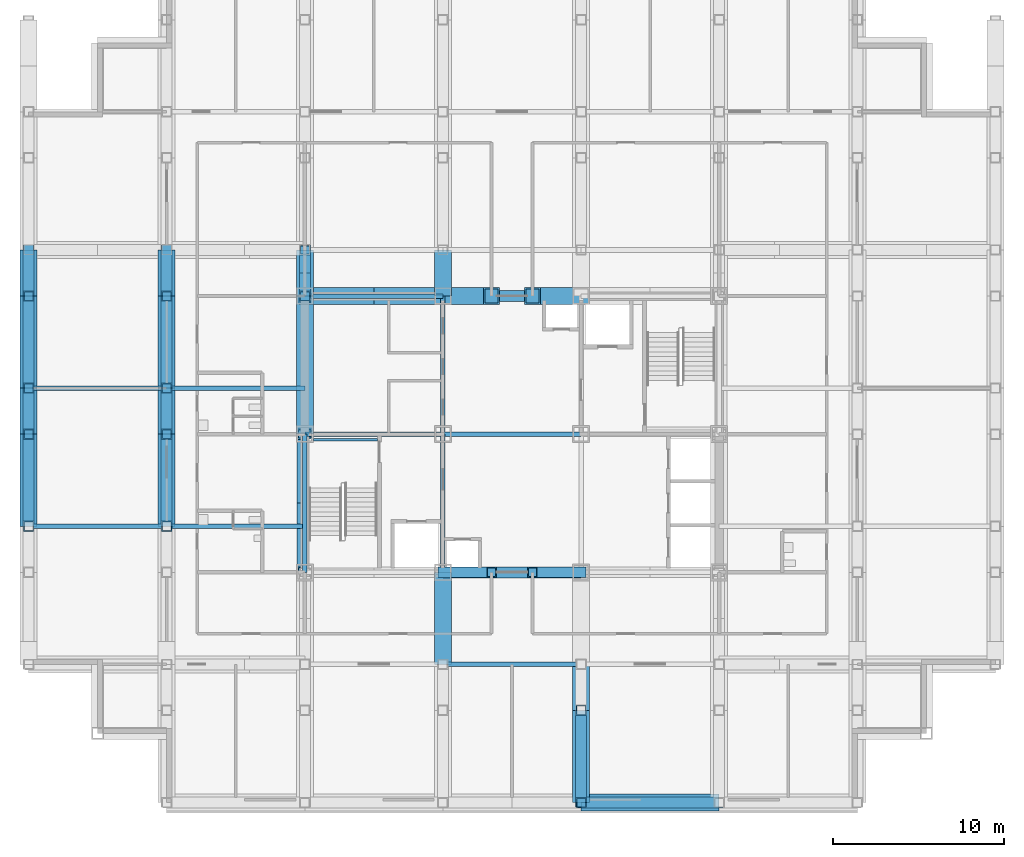
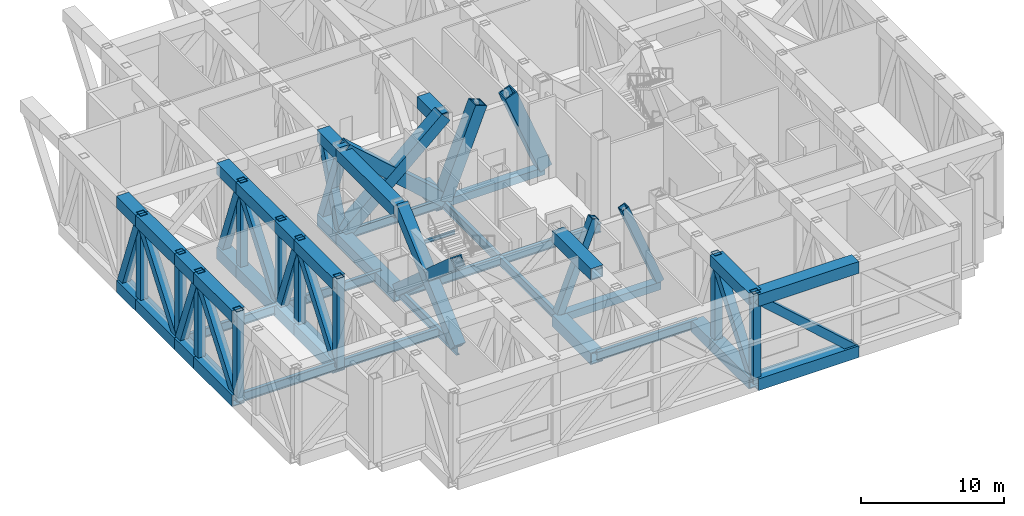
# One storey, part 2 of 13: 59 members, 14 beams.
"""IFC4 building model written with IfcOpenShell, lengths in metres."""

from ifc_helpers import new_model, si_unit, direction, frame, origin, origin_2d, place, context, subcontext, project, spatial, hollow_rectangle, i_section, extrude, material, material_profile, profile_set, type_object, element, save


model = new_model("IFC4")

# Units and contexts
model_context = context("Model", 3, precision=1e-05, world=origin(), true_north=direction((0.0, 1.0)))
body_context = subcontext(model_context, "Body", "Model", "MODEL_VIEW")
ifc_project = project(units=[si_unit("LENGTHUNIT", "METRE"), si_unit("AREAUNIT", "SQUARE_METRE"), si_unit("VOLUMEUNIT", "CUBIC_METRE"), si_unit("PLANEANGLEUNIT", "RADIAN"), si_unit("MASSUNIT", "GRAM", prefix="KILO")], contexts=[model_context])

# Site, building, storey
site_placement = place(None, origin())
site = spatial("IfcSite", under=ifc_project, at=site_placement, CompositionType="ELEMENT")
building_placement = place(site_placement, origin())
building = spatial("IfcBuilding", under=site, at=building_placement, Name="Kopane Lantern Tower", CompositionType="ELEMENT")
storey_placement = place(building_placement, frame((0.0, 0.0, 235.199951171875)))
storey = spatial("IfcBuildingStorey", under=building, at=storey_placement, Name="L61", CompositionType="ELEMENT", Elevation=235.199951171875)

# Members
ifc_material_1 = material(Name="Steel S355JR", Category="steel")
ifc_material_profile_1 = material_profile(ifc_material_1, hollow_rectangle(XDim=1.0, YDim=1.0, WallThickness=0.10009765625, at=origin_2d()), Name="BOX 1000x1000x100")
ifc_profile_set_1 = profile_set([ifc_material_profile_1], Name="Steel S355JR")
member_type_1 = type_object("IfcMemberType", Name="BRACE BOX 1000x1000x100", PredefinedType="BRACE", material=ifc_profile_set_1)
for number, where, z_axis, x_axis, name in (
    (1, (16.199951171875, 40.5, -0.25), (0.747415533118, 0.0, 0.664356847525), (0.0, 1.0, 0.0), "Core brace L61"),
    (2, (24.300048828125, 40.5, -0.25), (-0.747415533118, 0.0, 0.664356847525), (0.0, -1.0, 0.0), "Core brace L61"),
):
    element("IfcMember", number, at=place(storey_placement, frame(where, z_axis=z_axis, x_axis=x_axis)), inside=storey, type_object=member_type_1, Name=name, PredefinedType="BRACE", context=body_context, shape_type="SweptSolid", body=[
        extrude(hollow_rectangle(XDim=1.0, YDim=1.0, WallThickness=0.10009765625, at=origin_2d()), origin(), (0.0, 0.0, 1.0), 10.83740234375),
    ])
for number, where, z_axis, x_axis, name in (
    (3, (24.300048828125, 40.5, -0.25), (0.368034254187, 0.0, 0.929812232521), (0.0, 1.0, 0.0), "Core brace L61"),
    (4, (32.39990234375, 40.5, -0.25), (-0.368034254187, 0.0, 0.929812232521), (0.0, -1.0, 0.0), "Core brace L61"),
):
    element("IfcMember", number, at=place(storey_placement, frame(where, z_axis=z_axis, x_axis=x_axis)), inside=storey, type_object=member_type_1, Name=name, PredefinedType="BRACE", context=body_context, shape_type="SweptSolid", body=[
        extrude(hollow_rectangle(XDim=1.0, YDim=1.0, WallThickness=0.10009765625, at=origin_2d()), origin(), (0.0, 0.0, 1.0), 7.743408203125),
    ])
ifc_material_2 = material(Name="Steel S355JR", Category="steel")
ifc_material_profile_2 = material_profile(ifc_material_2, hollow_rectangle(XDim=0.60009765625, YDim=0.60009765625, WallThickness=0.06005859375, at=origin_2d()), Name="BOX 600x600x60")
ifc_profile_set_2 = profile_set([ifc_material_profile_2], Name="Steel S355JR")
member_type_2 = type_object("IfcMemberType", Name="BRACE BOX 600x600x60", PredefinedType="BRACE", material=ifc_profile_set_2)
for number, where, z_axis, x_axis, name in (
    (5, (24.300048828125, 24.300048828125, -0.25), (0.368034254187, 0.0, 0.929812232521), (0.0, 1.0, 0.0), "Core brace L61"),
    (6, (32.39990234375, 24.300048828125, -0.25), (-0.368034254187, 0.0, 0.929812232521), (0.0, -1.0, 0.0), "Core brace L61"),
):
    element("IfcMember", number, at=place(storey_placement, frame(where, z_axis=z_axis, x_axis=x_axis)), inside=storey, type_object=member_type_2, Name=name, PredefinedType="BRACE", context=body_context, shape_type="SweptSolid", body=[
        extrude(hollow_rectangle(XDim=0.60009765625, YDim=0.60009765625, WallThickness=0.06005859375, at=origin_2d()), origin(), (0.0, 0.0, 1.0), 7.743408203125),
    ])
ifc_material_3 = material(Name="Steel S355JR", Category="steel")
ifc_material_profile_3 = material_profile(ifc_material_3, hollow_rectangle(XDim=0.89990234375, YDim=0.89990234375, WallThickness=0.090087890625, at=origin_2d()), Name="BOX 900x900x90")
ifc_profile_set_3 = profile_set([ifc_material_profile_3], Name="Steel S355JR")
member_type_3 = type_object("IfcMemberType", Name="BRACE BOX 900x900x90", PredefinedType="BRACE", material=ifc_profile_set_3)
for number, where, z_axis, x_axis, name in (
    (7, (16.199951171875, 24.300048828125, -0.25), (0.0, 0.747405589929, 0.664368033655), (-1.0, 0.0, 0.0), "Core brace L61"),
    (8, (16.199951171875, 32.39990234375, -0.25), (0.0, -0.747405589929, 0.664368033655), (1.0, 0.0, 0.0), "Core brace L61"),
):
    element("IfcMember", number, at=place(storey_placement, frame(where, z_axis=z_axis, x_axis=x_axis)), inside=storey, type_object=member_type_3, Name=name, PredefinedType="BRACE", context=body_context, shape_type="SweptSolid", body=[
        extrude(hollow_rectangle(XDim=0.89990234375, YDim=0.89990234375, WallThickness=0.090087890625, at=origin_2d()), origin(), (0.0, 0.0, 1.0), 10.83740234375),
    ])

# Beams
ifc_material_4 = material(Name="Steel S355JR", Category="steel")
ifc_material_profile_4 = material_profile(ifc_material_4, i_section(OverallWidth=0.2666015625, OverallDepth=0.76220703125, WebThickness=0.014404296875, FlangeThickness=0.021484375, FilletRadius=0.0166015625, at=origin_2d()), Name="UB 762x267x173")
ifc_profile_set_4 = profile_set([ifc_material_profile_4], Name="Steel S355JR")
beam_type_1 = type_object("IfcBeamType", Name="CORE BEAM UB 762x267x173", PredefinedType="BEAM", material=ifc_profile_set_4)
beam_1_placement = place(storey_placement, frame((16.199951171875, 32.39990234375, -0.631103515625), z_axis=(1.0, 0.0, 0.0), x_axis=(0.0, 1.0, 0.0)))
element("IfcBeam", 9, at=beam_1_placement, inside=storey, type_object=beam_type_1, Name="Core Beam L61", PredefinedType="BEAM", context=body_context, shape_type="SweptSolid", body=[
    extrude(i_section(OverallWidth=0.2666015625, OverallDepth=0.76220703125, WebThickness=0.014404296875, FlangeThickness=0.021484375, FilletRadius=0.0166015625, at=origin_2d()), origin(), (0.0, 0.0, 1.0), 8.10009765625),
])
beam_2_placement = place(storey_placement, frame((24.300048828125, 24.300048828125, -0.631103515625), z_axis=(0.0, 1.0, 0.0), x_axis=(-1.0, 0.0, 0.0)))
element("IfcBeam", 10, at=beam_2_placement, inside=storey, type_object=beam_type_1, Name="Core Beam L61", PredefinedType="BEAM", context=body_context, shape_type="SweptSolid", body=[
    extrude(i_section(OverallWidth=0.2666015625, OverallDepth=0.76220703125, WebThickness=0.014404296875, FlangeThickness=0.021484375, FilletRadius=0.0166015625, at=origin_2d()), origin(), (0.0, 0.0, 1.0), 8.099853515625),
])
beam_3_placement = place(storey_placement, frame((24.300048828125, 32.39990234375, -0.631103515625), z_axis=(0.0, 1.0, 0.0), x_axis=(-1.0, 0.0, 0.0)))
element("IfcBeam", 11, at=beam_3_placement, inside=storey, type_object=beam_type_1, Name="Core Beam L61", PredefinedType="BEAM", context=body_context, shape_type="SweptSolid", body=[
    extrude(i_section(OverallWidth=0.2666015625, OverallDepth=0.76220703125, WebThickness=0.014404296875, FlangeThickness=0.021484375, FilletRadius=0.0166015625, at=origin_2d()), origin(), (0.0, 0.0, 1.0), 8.10009765625),
])
beam_4_placement = place(storey_placement, frame((24.300048828125, 32.39990234375, -0.631103515625), z_axis=(1.0, 0.0, 0.0), x_axis=(0.0, 1.0, 0.0)))
element("IfcBeam", 12, at=beam_4_placement, inside=storey, type_object=beam_type_1, Name="Core Beam L61", PredefinedType="BEAM", context=body_context, shape_type="SweptSolid", body=[
    extrude(i_section(OverallWidth=0.2666015625, OverallDepth=0.76220703125, WebThickness=0.014404296875, FlangeThickness=0.021484375, FilletRadius=0.0166015625, at=origin_2d()), origin(), (0.0, 0.0, 1.0), 8.099853515625),
])
ifc_material_5 = material(Name="Steel S355JR", Category="steel")
ifc_material_profile_5 = material_profile(ifc_material_5, i_section(OverallWidth=0.2666015625, OverallDepth=0.76220703125, WebThickness=0.014404296875, FlangeThickness=0.021484375, FilletRadius=0.0166015625, at=origin_2d()), Name="UB 762x267x173")
ifc_profile_set_5 = profile_set([ifc_material_profile_5], Name="Steel S355JR")
beam_type_2 = type_object("IfcBeamType", Name="GIRDER UB 762x267x173", PredefinedType="BEAM", material=ifc_profile_set_5)
for number, where, z_axis, x_axis, name in (
    (13, (0.0, 27.0, -0.631103515625), (1.0, 0.0, 0.0), (0.0, 1.0, 0.0), "Girder L61"),
    (14, (0.0, 35.10009765625, -0.631103515625), (1.0, 0.0, 0.0), (0.0, 1.0, 0.0), "Girder L61"),
):
    element("IfcBeam", number, at=place(storey_placement, frame(where, z_axis=z_axis, x_axis=x_axis)), inside=storey, type_object=beam_type_2, Name=name, PredefinedType="BEAM", context=body_context, shape_type="SweptSolid", body=[
        extrude(i_section(OverallWidth=0.2666015625, OverallDepth=0.76220703125, WebThickness=0.014404296875, FlangeThickness=0.021484375, FilletRadius=0.0166015625, at=origin_2d()), origin(), (0.0, 0.0, 1.0), 8.10009765625),
    ])
for number, where, z_axis, x_axis, name in (
    (15, (8.10009765625, 27.0, -0.631103515625), (1.0, 0.0, 0.0), (0.0, 1.0, 0.0), "Girder L61"),
    (16, (8.10009765625, 35.10009765625, -0.631103515625), (1.0, 0.0, 0.0), (0.0, 1.0, 0.0), "Girder L61"),
    (17, (16.199951171875, 24.300048828125, -0.631103515625), (0.0, 1.0, 0.0), (-1.0, 0.0, 0.0), "Girder L61"),
):
    element("IfcBeam", number, at=place(storey_placement, frame(where, z_axis=z_axis, x_axis=x_axis)), inside=storey, type_object=beam_type_2, Name=name, PredefinedType="BEAM", context=body_context, shape_type="SweptSolid", body=[
        extrude(i_section(OverallWidth=0.2666015625, OverallDepth=0.76220703125, WebThickness=0.014404296875, FlangeThickness=0.021484375, FilletRadius=0.0166015625, at=origin_2d()), origin(), (0.0, 0.0, 1.0), 8.099853515625),
    ])
beam_5_placement = place(storey_placement, frame((16.199951171875, 40.5, -0.631103515625), z_axis=(1.0, 0.0, 0.0), x_axis=(0.0, 1.0, 0.0)))
element("IfcBeam", 18, at=beam_5_placement, inside=storey, type_object=beam_type_2, Name="Girder L61", PredefinedType="BEAM", context=body_context, shape_type="SweptSolid", body=[
    extrude(i_section(OverallWidth=0.2666015625, OverallDepth=0.76220703125, WebThickness=0.014404296875, FlangeThickness=0.021484375, FilletRadius=0.0166015625, at=origin_2d()), origin(), (0.0, 0.0, 1.0), 8.10009765625),
])
beam_6_placement = place(storey_placement, frame((24.300048828125, 18.89990234375, -0.631103515625), z_axis=(1.0, 0.0, 0.0), x_axis=(0.0, 1.0, 0.0)))
element("IfcBeam", 19, at=beam_6_placement, inside=storey, type_object=beam_type_2, Name="Girder L61", PredefinedType="BEAM", context=body_context, shape_type="SweptSolid", body=[
    extrude(i_section(OverallWidth=0.2666015625, OverallDepth=0.76220703125, WebThickness=0.014404296875, FlangeThickness=0.021484375, FilletRadius=0.0166015625, at=origin_2d()), origin(), (0.0, 0.0, 1.0), 8.099853515625),
])
ifc_material_6 = material(Name="Steel S355JR", Category="steel")
ifc_material_profile_6 = material_profile(ifc_material_6, hollow_rectangle(XDim=0.64990234375, YDim=0.64990234375, WallThickness=0.070068359375, at=origin_2d()), Name="BOX 650x650x70")
ifc_profile_set_6 = profile_set([ifc_material_profile_6], Name="Steel S355JR")
beam_type_3 = type_object("IfcBeamType", Name="LINK BEAM BOX 650x650x70", PredefinedType="BEAM", material=ifc_profile_set_6)
for number, where, z_axis, x_axis, name in (
    (20, (24.300048828125, 24.300048828125, -0.574951171875), (1.0, 0.0, 0.0), (0.0, 1.0, 0.0), "Link Beam L61"),
    (21, (24.300048828125, 40.5, -0.574951171875), (1.0, 0.0, 0.0), (0.0, 1.0, 0.0), "Link Beam L61"),
):
    element("IfcBeam", number, at=place(storey_placement, frame(where, z_axis=z_axis, x_axis=x_axis)), inside=storey, type_object=beam_type_3, Name=name, PredefinedType="BEAM", context=body_context, shape_type="SweptSolid", body=[
        extrude(hollow_rectangle(XDim=0.64990234375, YDim=0.64990234375, WallThickness=0.070068359375, at=origin_2d()), origin(), (0.0, 0.0, 1.0), 8.099853515625),
    ])
ifc_material_7 = material(Name="Steel S355JR", Category="steel")
ifc_material_profile_7 = material_profile(ifc_material_7, i_section(OverallWidth=0.1650390625, OverallDepth=0.303466796875, WebThickness=0.006103515625, FlangeThickness=0.01025390625, FilletRadius=0.0087890625, at=origin_2d()), Name="UB 305x165x40")
ifc_profile_set_7 = profile_set([ifc_material_profile_7], Name="Steel S355JR")
beam_type_4 = type_object("IfcBeamType", Name="STAIR LANDING BEAM UB 305x165x40", PredefinedType="BEAM", material=ifc_profile_set_7)
beam_7_placement = place(storey_placement, frame((16.699951171875, 32.0673828125, 3.33203125), z_axis=(1.0, 0.0, 0.0), x_axis=(0.0, 1.0, 0.0)))
element("IfcBeam", 22, at=beam_7_placement, inside=storey, type_object=beam_type_4, Name="Stair landing beam ST1 L61", PredefinedType="BEAM", context=body_context, shape_type="SweptSolid", body=[
    extrude(i_section(OverallWidth=0.1650390625, OverallDepth=0.303466796875, WebThickness=0.006103515625, FlangeThickness=0.01025390625, FilletRadius=0.0087890625, at=origin_2d()), origin(), (0.0, 0.0, 1.0), 3.75),
])

# Members
ifc_material_8 = material(Name="Steel S355JR", Category="steel")
ifc_material_profile_8 = material_profile(ifc_material_8, hollow_rectangle(XDim=1.0, YDim=1.0, WallThickness=0.080078125, at=origin_2d()), Name="BOX 1000x1000x80")
ifc_profile_set_8 = profile_set([ifc_material_profile_8], Name="Steel S355JR")
member_type_4 = type_object("IfcMemberType", Name="TRUSS CHORD BOX 1000x1000x80", PredefinedType="CHORD", material=ifc_profile_set_8)
member_1_placement = place(storey_placement, frame((0.0, 27.0, -0.75), z_axis=(0.0, 1.0, 0.0), x_axis=(-1.0, 0.0, 0.0)))
element("IfcMember", 23, at=member_1_placement, inside=storey, type_object=member_type_4, Name="Transfer truss 2 L61 truss chord", PredefinedType="CHORD", context=body_context, shape_type="SweptSolid", body=[
    extrude(hollow_rectangle(XDim=1.0, YDim=1.0, WallThickness=0.080078125, at=origin_2d()), origin(), (0.0, 0.0, 1.0), 5.39990234375),
])
member_2_placement = place(storey_placement, frame((0.0, 32.39990234375, -0.75), z_axis=(0.0, 1.0, 0.0), x_axis=(-1.0, 0.0, 0.0)))
element("IfcMember", 24, at=member_2_placement, inside=storey, type_object=member_type_4, Name="Transfer truss 2 L61 truss chord", PredefinedType="CHORD", context=body_context, shape_type="SweptSolid", body=[
    extrude(hollow_rectangle(XDim=1.0, YDim=1.0, WallThickness=0.080078125, at=origin_2d()), origin(), (0.0, 0.0, 1.0), 2.7001953125),
])
member_3_placement = place(storey_placement, frame((0.0, 35.10009765625, -0.75), z_axis=(0.0, 1.0, 0.0), x_axis=(-1.0, 0.0, 0.0)))
element("IfcMember", 25, at=member_3_placement, inside=storey, type_object=member_type_4, Name="Transfer truss 2 L61 truss chord", PredefinedType="CHORD", context=body_context, shape_type="SweptSolid", body=[
    extrude(hollow_rectangle(XDim=1.0, YDim=1.0, WallThickness=0.080078125, at=origin_2d()), origin(), (0.0, 0.0, 1.0), 5.39990234375),
])
member_4_placement = place(storey_placement, frame((0.0, 40.5, -0.75), z_axis=(0.0, 1.0, 0.0), x_axis=(-1.0, 0.0, 0.0)))
element("IfcMember", 26, at=member_4_placement, inside=storey, type_object=member_type_4, Name="Transfer truss 2 L61 truss chord", PredefinedType="CHORD", context=body_context, shape_type="SweptSolid", body=[
    extrude(hollow_rectangle(XDim=1.0, YDim=1.0, WallThickness=0.080078125, at=origin_2d()), origin(), (0.0, 0.0, 1.0), 2.699951171875),
])
member_5_placement = place(storey_placement, frame((0.0, 27.0, 6.449951171875), z_axis=(0.0, 1.0, 0.0), x_axis=(-1.0, 0.0, 0.0)))
element("IfcMember", 27, at=member_5_placement, inside=storey, type_object=member_type_4, Name="Transfer truss 2 L61 truss chord", PredefinedType="CHORD", context=body_context, shape_type="SweptSolid", body=[
    extrude(hollow_rectangle(XDim=1.0, YDim=1.0, WallThickness=0.080078125, at=origin_2d()), origin(), (0.0, 0.0, 1.0), 5.39990234375),
])
member_6_placement = place(storey_placement, frame((0.0, 32.39990234375, 6.449951171875), z_axis=(0.0, 1.0, 0.0), x_axis=(-1.0, 0.0, 0.0)))
element("IfcMember", 28, at=member_6_placement, inside=storey, type_object=member_type_4, Name="Transfer truss 2 L61 truss chord", PredefinedType="CHORD", context=body_context, shape_type="SweptSolid", body=[
    extrude(hollow_rectangle(XDim=1.0, YDim=1.0, WallThickness=0.080078125, at=origin_2d()), origin(), (0.0, 0.0, 1.0), 2.7001953125),
])
member_7_placement = place(storey_placement, frame((0.0, 35.10009765625, 6.449951171875), z_axis=(0.0, 1.0, 0.0), x_axis=(-1.0, 0.0, 0.0)))
element("IfcMember", 29, at=member_7_placement, inside=storey, type_object=member_type_4, Name="Transfer truss 2 L61 truss chord", PredefinedType="CHORD", context=body_context, shape_type="SweptSolid", body=[
    extrude(hollow_rectangle(XDim=1.0, YDim=1.0, WallThickness=0.080078125, at=origin_2d()), origin(), (0.0, 0.0, 1.0), 5.39990234375),
])
member_8_placement = place(storey_placement, frame((0.0, 40.5, 6.449951171875), z_axis=(0.0, 1.0, 0.0), x_axis=(-1.0, 0.0, 0.0)))
element("IfcMember", 30, at=member_8_placement, inside=storey, type_object=member_type_4, Name="Transfer truss 2 L61 truss chord", PredefinedType="CHORD", context=body_context, shape_type="SweptSolid", body=[
    extrude(hollow_rectangle(XDim=1.0, YDim=1.0, WallThickness=0.080078125, at=origin_2d()), origin(), (0.0, 0.0, 1.0), 2.699951171875),
])
member_9_placement = place(storey_placement, frame((8.10009765625, 27.0, -0.75), z_axis=(0.0, 1.0, 0.0), x_axis=(-1.0, 0.0, 0.0)))
element("IfcMember", 31, at=member_9_placement, inside=storey, type_object=member_type_4, Name="Transfer truss 3 L61 truss chord", PredefinedType="CHORD", context=body_context, shape_type="SweptSolid", body=[
    extrude(hollow_rectangle(XDim=1.0, YDim=1.0, WallThickness=0.080078125, at=origin_2d()), origin(), (0.0, 0.0, 1.0), 5.39990234375),
])
member_10_placement = place(storey_placement, frame((8.10009765625, 32.39990234375, -0.75), z_axis=(0.0, 1.0, 0.0), x_axis=(-1.0, 0.0, 0.0)))
element("IfcMember", 32, at=member_10_placement, inside=storey, type_object=member_type_4, Name="Transfer truss 3 L61 truss chord", PredefinedType="CHORD", context=body_context, shape_type="SweptSolid", body=[
    extrude(hollow_rectangle(XDim=1.0, YDim=1.0, WallThickness=0.080078125, at=origin_2d()), origin(), (0.0, 0.0, 1.0), 2.7001953125),
])
member_11_placement = place(storey_placement, frame((8.10009765625, 35.10009765625, -0.75), z_axis=(0.0, 1.0, 0.0), x_axis=(-1.0, 0.0, 0.0)))
element("IfcMember", 33, at=member_11_placement, inside=storey, type_object=member_type_4, Name="Transfer truss 3 L61 truss chord", PredefinedType="CHORD", context=body_context, shape_type="SweptSolid", body=[
    extrude(hollow_rectangle(XDim=1.0, YDim=1.0, WallThickness=0.080078125, at=origin_2d()), origin(), (0.0, 0.0, 1.0), 5.39990234375),
])
member_12_placement = place(storey_placement, frame((8.10009765625, 40.5, -0.75), z_axis=(0.0, 1.0, 0.0), x_axis=(-1.0, 0.0, 0.0)))
element("IfcMember", 34, at=member_12_placement, inside=storey, type_object=member_type_4, Name="Transfer truss 3 L61 truss chord", PredefinedType="CHORD", context=body_context, shape_type="SweptSolid", body=[
    extrude(hollow_rectangle(XDim=1.0, YDim=1.0, WallThickness=0.080078125, at=origin_2d()), origin(), (0.0, 0.0, 1.0), 2.699951171875),
])
member_13_placement = place(storey_placement, frame((8.10009765625, 27.0, 6.449951171875), z_axis=(0.0, 1.0, 0.0), x_axis=(-1.0, 0.0, 0.0)))
element("IfcMember", 35, at=member_13_placement, inside=storey, type_object=member_type_4, Name="Transfer truss 3 L61 truss chord", PredefinedType="CHORD", context=body_context, shape_type="SweptSolid", body=[
    extrude(hollow_rectangle(XDim=1.0, YDim=1.0, WallThickness=0.080078125, at=origin_2d()), origin(), (0.0, 0.0, 1.0), 5.39990234375),
])
member_14_placement = place(storey_placement, frame((8.10009765625, 32.39990234375, 6.449951171875), z_axis=(0.0, 1.0, 0.0), x_axis=(-1.0, 0.0, 0.0)))
element("IfcMember", 36, at=member_14_placement, inside=storey, type_object=member_type_4, Name="Transfer truss 3 L61 truss chord", PredefinedType="CHORD", context=body_context, shape_type="SweptSolid", body=[
    extrude(hollow_rectangle(XDim=1.0, YDim=1.0, WallThickness=0.080078125, at=origin_2d()), origin(), (0.0, 0.0, 1.0), 2.7001953125),
])
member_15_placement = place(storey_placement, frame((8.10009765625, 35.10009765625, 6.449951171875), z_axis=(0.0, 1.0, 0.0), x_axis=(-1.0, 0.0, 0.0)))
element("IfcMember", 37, at=member_15_placement, inside=storey, type_object=member_type_4, Name="Transfer truss 3 L61 truss chord", PredefinedType="CHORD", context=body_context, shape_type="SweptSolid", body=[
    extrude(hollow_rectangle(XDim=1.0, YDim=1.0, WallThickness=0.080078125, at=origin_2d()), origin(), (0.0, 0.0, 1.0), 5.39990234375),
])
member_16_placement = place(storey_placement, frame((8.10009765625, 40.5, 6.449951171875), z_axis=(0.0, 1.0, 0.0), x_axis=(-1.0, 0.0, 0.0)))
element("IfcMember", 38, at=member_16_placement, inside=storey, type_object=member_type_4, Name="Transfer truss 3 L61 truss chord", PredefinedType="CHORD", context=body_context, shape_type="SweptSolid", body=[
    extrude(hollow_rectangle(XDim=1.0, YDim=1.0, WallThickness=0.080078125, at=origin_2d()), origin(), (0.0, 0.0, 1.0), 2.699951171875),
])
member_17_placement = place(storey_placement, frame((16.199951171875, 32.39990234375, -0.75), z_axis=(0.0, 1.0, 0.0), x_axis=(-1.0, 0.0, 0.0)))
element("IfcMember", 39, at=member_17_placement, inside=storey, type_object=member_type_4, Name="Transfer truss 4 L61 truss chord", PredefinedType="CHORD", context=body_context, shape_type="SweptSolid", body=[
    extrude(hollow_rectangle(XDim=1.0, YDim=1.0, WallThickness=0.080078125, at=origin_2d()), origin(), (0.0, 0.0, 1.0), 8.10009765625),
])
member_18_placement = place(storey_placement, frame((16.199951171875, 40.5, -0.75), z_axis=(0.0, 1.0, 0.0), x_axis=(-1.0, 0.0, 0.0)))
element("IfcMember", 40, at=member_18_placement, inside=storey, type_object=member_type_4, Name="Transfer truss 4 L61 truss chord", PredefinedType="CHORD", context=body_context, shape_type="SweptSolid", body=[
    extrude(hollow_rectangle(XDim=1.0, YDim=1.0, WallThickness=0.080078125, at=origin_2d()), origin(), (0.0, 0.0, 1.0), 2.699951171875),
])
member_19_placement = place(storey_placement, frame((16.199951171875, 32.39990234375, 6.449951171875), z_axis=(0.0, 1.0, 0.0), x_axis=(-1.0, 0.0, 0.0)))
element("IfcMember", 41, at=member_19_placement, inside=storey, type_object=member_type_4, Name="Transfer truss 4 L61 truss chord", PredefinedType="CHORD", context=body_context, shape_type="SweptSolid", body=[
    extrude(hollow_rectangle(XDim=1.0, YDim=1.0, WallThickness=0.080078125, at=origin_2d()), origin(), (0.0, 0.0, 1.0), 8.10009765625),
])
member_20_placement = place(storey_placement, frame((16.199951171875, 40.5, 6.449951171875), z_axis=(0.0, 1.0, 0.0), x_axis=(-1.0, 0.0, 0.0)))
element("IfcMember", 42, at=member_20_placement, inside=storey, type_object=member_type_4, Name="Transfer truss 4 L61 truss chord", PredefinedType="CHORD", context=body_context, shape_type="SweptSolid", body=[
    extrude(hollow_rectangle(XDim=1.0, YDim=1.0, WallThickness=0.080078125, at=origin_2d()), origin(), (0.0, 0.0, 1.0), 2.699951171875),
])
member_21_placement = place(storey_placement, frame((24.300048828125, 18.89990234375, -0.75), z_axis=(0.0, 1.0, 0.0), x_axis=(-1.0, 0.0, 0.0)))
element("IfcMember", 43, at=member_21_placement, inside=storey, type_object=member_type_4, Name="Transfer truss 5 L61 truss chord", PredefinedType="CHORD", context=body_context, shape_type="SweptSolid", body=[
    extrude(hollow_rectangle(XDim=1.0, YDim=1.0, WallThickness=0.080078125, at=origin_2d()), origin(), (0.0, 0.0, 1.0), 5.400146484375),
])
member_22_placement = place(storey_placement, frame((24.300048828125, 40.5, -0.75), z_axis=(0.0, 1.0, 0.0), x_axis=(-1.0, 0.0, 0.0)))
element("IfcMember", 44, at=member_22_placement, inside=storey, type_object=member_type_4, Name="Transfer truss 5 L61 truss chord", PredefinedType="CHORD", context=body_context, shape_type="SweptSolid", body=[
    extrude(hollow_rectangle(XDim=1.0, YDim=1.0, WallThickness=0.080078125, at=origin_2d()), origin(), (0.0, 0.0, 1.0), 2.699951171875),
])
member_23_placement = place(storey_placement, frame((24.300048828125, 18.89990234375, 6.449951171875), z_axis=(0.0, 1.0, 0.0), x_axis=(-1.0, 0.0, 0.0)))
element("IfcMember", 45, at=member_23_placement, inside=storey, type_object=member_type_4, Name="Transfer truss 5 L61 truss chord", PredefinedType="CHORD", context=body_context, shape_type="SweptSolid", body=[
    extrude(hollow_rectangle(XDim=1.0, YDim=1.0, WallThickness=0.080078125, at=origin_2d()), origin(), (0.0, 0.0, 1.0), 5.400146484375),
])
member_24_placement = place(storey_placement, frame((24.300048828125, 40.5, 6.449951171875), z_axis=(0.0, 1.0, 0.0), x_axis=(-1.0, 0.0, 0.0)))
element("IfcMember", 46, at=member_24_placement, inside=storey, type_object=member_type_4, Name="Transfer truss 5 L61 truss chord", PredefinedType="CHORD", context=body_context, shape_type="SweptSolid", body=[
    extrude(hollow_rectangle(XDim=1.0, YDim=1.0, WallThickness=0.080078125, at=origin_2d()), origin(), (0.0, 0.0, 1.0), 2.699951171875),
])
member_25_placement = place(storey_placement, frame((32.39990234375, 10.800048828125, -0.75), z_axis=(0.0, 1.0, 0.0), x_axis=(-1.0, 0.0, 0.0)))
element("IfcMember", 47, at=member_25_placement, inside=storey, type_object=member_type_4, Name="Transfer truss 6 L61 truss chord", PredefinedType="CHORD", context=body_context, shape_type="SweptSolid", body=[
    extrude(hollow_rectangle(XDim=1.0, YDim=1.0, WallThickness=0.080078125, at=origin_2d()), origin(), (0.0, 0.0, 1.0), 5.39990234375),
])
member_26_placement = place(storey_placement, frame((32.39990234375, 16.199951171875, -0.75), z_axis=(0.0, 1.0, 0.0), x_axis=(-1.0, 0.0, 0.0)))
element("IfcMember", 48, at=member_26_placement, inside=storey, type_object=member_type_4, Name="Transfer truss 6 L61 truss chord", PredefinedType="CHORD", context=body_context, shape_type="SweptSolid", body=[
    extrude(hollow_rectangle(XDim=1.0, YDim=1.0, WallThickness=0.080078125, at=origin_2d()), origin(), (0.0, 0.0, 1.0), 2.699951171875),
])
member_27_placement = place(storey_placement, frame((32.39990234375, 10.800048828125, 6.449951171875), z_axis=(0.0, 1.0, 0.0), x_axis=(-1.0, 0.0, 0.0)))
element("IfcMember", 49, at=member_27_placement, inside=storey, type_object=member_type_4, Name="Transfer truss 6 L61 truss chord", PredefinedType="CHORD", context=body_context, shape_type="SweptSolid", body=[
    extrude(hollow_rectangle(XDim=1.0, YDim=1.0, WallThickness=0.080078125, at=origin_2d()), origin(), (0.0, 0.0, 1.0), 5.39990234375),
])
for number, where, z_axis, x_axis, name in (
    (50, (32.39990234375, 10.800048828125, -0.75), (1.0, 0.0, 0.0), (0.0, 1.0, 0.0), "Belt truss S L61 truss chord"),
    (51, (32.39990234375, 10.800048828125, 6.449951171875), (1.0, 0.0, 0.0), (0.0, 1.0, 0.0), "Belt truss S L61 truss chord"),
):
    element("IfcMember", number, at=place(storey_placement, frame(where, z_axis=z_axis, x_axis=x_axis)), inside=storey, type_object=member_type_4, Name=name, PredefinedType="CHORD", context=body_context, shape_type="SweptSolid", body=[
        extrude(hollow_rectangle(XDim=1.0, YDim=1.0, WallThickness=0.080078125, at=origin_2d()), origin(), (0.0, 0.0, 1.0), 8.10009765625),
    ])
ifc_material_9 = material(Name="Steel S355JR", Category="steel")
ifc_material_profile_9 = material_profile(ifc_material_9, hollow_rectangle(XDim=0.64990234375, YDim=0.64990234375, WallThickness=0.06005859375, at=origin_2d()), Name="BOX 650x650x60")
ifc_profile_set_9 = profile_set([ifc_material_profile_9], Name="Steel S355JR")
member_type_5 = type_object("IfcMemberType", Name="TRUSS DIAGONAL BOX 650x650x60", PredefinedType="BRACE", material=ifc_profile_set_9)
member_28_placement = place(storey_placement, frame((0.0, 27.0, -0.75), z_axis=(0.0, 0.599995659666, 0.800003255232), x_axis=(-1.0, 0.0, 0.0)))
element("IfcMember", 52, at=member_28_placement, inside=storey, type_object=member_type_5, Name="Transfer truss 2 L61 truss diagonal", PredefinedType="BRACE", context=body_context, shape_type="SweptSolid", body=[
    extrude(hollow_rectangle(XDim=0.64990234375, YDim=0.64990234375, WallThickness=0.06005859375, at=origin_2d()), origin(), (0.0, 0.0, 1.0), 9.0),
])
member_29_placement = place(storey_placement, frame((0.0, 35.10009765625, -0.75), z_axis=(0.0, -0.351147797134, 0.936320043878), x_axis=(1.0, 0.0, 0.0)))
element("IfcMember", 53, at=member_29_placement, inside=storey, type_object=member_type_5, Name="Transfer truss 2 L61 truss diagonal", PredefinedType="BRACE", context=body_context, shape_type="SweptSolid", body=[
    extrude(hollow_rectangle(XDim=0.64990234375, YDim=0.64990234375, WallThickness=0.06005859375, at=origin_2d()), origin(), (0.0, 0.0, 1.0), 7.689697265625),
])
member_30_placement = place(storey_placement, frame((0.0, 35.10009765625, -0.75), z_axis=(0.0, 0.599995659666, 0.800003255232), x_axis=(-1.0, 0.0, 0.0)))
element("IfcMember", 54, at=member_30_placement, inside=storey, type_object=member_type_5, Name="Transfer truss 2 L61 truss diagonal", PredefinedType="BRACE", context=body_context, shape_type="SweptSolid", body=[
    extrude(hollow_rectangle(XDim=0.64990234375, YDim=0.64990234375, WallThickness=0.06005859375, at=origin_2d()), origin(), (0.0, 0.0, 1.0), 9.0),
])
member_31_placement = place(storey_placement, frame((0.0, 43.199951171875, -0.75), z_axis=(0.0, -0.351119962166, 0.936330482345), x_axis=(1.0, 0.0, 0.0)))
element("IfcMember", 55, at=member_31_placement, inside=storey, type_object=member_type_5, Name="Transfer truss 2 L61 truss diagonal", PredefinedType="BRACE", context=body_context, shape_type="SweptSolid", body=[
    extrude(hollow_rectangle(XDim=0.64990234375, YDim=0.64990234375, WallThickness=0.06005859375, at=origin_2d()), origin(), (0.0, 0.0, 1.0), 7.689453125),
])
member_32_placement = place(storey_placement, frame((8.10009765625, 27.0, -0.75), z_axis=(0.0, 0.599995659666, 0.800003255232), x_axis=(-1.0, 0.0, 0.0)))
element("IfcMember", 56, at=member_32_placement, inside=storey, type_object=member_type_5, Name="Transfer truss 3 L61 truss diagonal", PredefinedType="BRACE", context=body_context, shape_type="SweptSolid", body=[
    extrude(hollow_rectangle(XDim=0.64990234375, YDim=0.64990234375, WallThickness=0.06005859375, at=origin_2d()), origin(), (0.0, 0.0, 1.0), 9.0),
])
member_33_placement = place(storey_placement, frame((8.10009765625, 35.10009765625, -0.75), z_axis=(0.0, -0.351147797134, 0.936320043878), x_axis=(1.0, 0.0, 0.0)))
element("IfcMember", 57, at=member_33_placement, inside=storey, type_object=member_type_5, Name="Transfer truss 3 L61 truss diagonal", PredefinedType="BRACE", context=body_context, shape_type="SweptSolid", body=[
    extrude(hollow_rectangle(XDim=0.64990234375, YDim=0.64990234375, WallThickness=0.06005859375, at=origin_2d()), origin(), (0.0, 0.0, 1.0), 7.689697265625),
])
member_34_placement = place(storey_placement, frame((8.10009765625, 35.10009765625, -0.75), z_axis=(0.0, 0.599995659666, 0.800003255232), x_axis=(-1.0, 0.0, 0.0)))
element("IfcMember", 58, at=member_34_placement, inside=storey, type_object=member_type_5, Name="Transfer truss 3 L61 truss diagonal", PredefinedType="BRACE", context=body_context, shape_type="SweptSolid", body=[
    extrude(hollow_rectangle(XDim=0.64990234375, YDim=0.64990234375, WallThickness=0.06005859375, at=origin_2d()), origin(), (0.0, 0.0, 1.0), 9.0),
])
member_35_placement = place(storey_placement, frame((8.10009765625, 43.199951171875, -0.75), z_axis=(0.0, -0.351119962166, 0.936330482345), x_axis=(1.0, 0.0, 0.0)))
element("IfcMember", 59, at=member_35_placement, inside=storey, type_object=member_type_5, Name="Transfer truss 3 L61 truss diagonal", PredefinedType="BRACE", context=body_context, shape_type="SweptSolid", body=[
    extrude(hollow_rectangle(XDim=0.64990234375, YDim=0.64990234375, WallThickness=0.06005859375, at=origin_2d()), origin(), (0.0, 0.0, 1.0), 7.689453125),
])
member_36_placement = place(storey_placement, frame((32.39990234375, 10.800048828125, -0.75), z_axis=(0.0, 0.599995659666, 0.800003255232), x_axis=(-1.0, 0.0, 0.0)))
element("IfcMember", 60, at=member_36_placement, inside=storey, type_object=member_type_5, Name="Transfer truss 6 L61 truss diagonal", PredefinedType="BRACE", context=body_context, shape_type="SweptSolid", body=[
    extrude(hollow_rectangle(XDim=0.64990234375, YDim=0.64990234375, WallThickness=0.06005859375, at=origin_2d()), origin(), (0.0, 0.0, 1.0), 9.0),
])
member_37_placement = place(storey_placement, frame((40.5, 10.800048828125, -0.75), z_axis=(-0.747415533118, 0.0, 0.664356847525), x_axis=(0.0, -1.0, 0.0)))
element("IfcMember", 61, at=member_37_placement, inside=storey, type_object=member_type_5, Name="Belt truss S L61 truss diagonal", PredefinedType="BRACE", context=body_context, shape_type="SweptSolid", body=[
    extrude(hollow_rectangle(XDim=0.64990234375, YDim=0.64990234375, WallThickness=0.06005859375, at=origin_2d()), origin(), (0.0, 0.0, 1.0), 10.83740234375),
])
for number, where, z_axis, x_axis, name in (
    (62, (16.199951171875, 43.199951171875, -0.75), (0.0, -0.351119962166, 0.936330482345), (1.0, 0.0, 0.0), "Outrigger truss W43.2 L61 truss diagonal"),
    (63, (16.199951171875, 40.5, -0.75), (0.0, 0.351119962166, 0.936330482345), (-1.0, 0.0, 0.0), "Outrigger truss W43.2 L61 truss diagonal"),
):
    element("IfcMember", number, at=place(storey_placement, frame(where, z_axis=z_axis, x_axis=x_axis)), inside=storey, type_object=member_type_5, Name=name, PredefinedType="BRACE", context=body_context, shape_type="SweptSolid", body=[
        extrude(hollow_rectangle(XDim=0.64990234375, YDim=0.64990234375, WallThickness=0.06005859375, at=origin_2d()), origin(), (0.0, 0.0, 1.0), 7.689453125),
    ])
ifc_material_10 = material(Name="Steel S355JR", Category="steel")
ifc_material_profile_10 = material_profile(ifc_material_10, hollow_rectangle(XDim=0.60009765625, YDim=0.60009765625, WallThickness=0.050048828125, at=origin_2d()), Name="BOX 600x600x50")
ifc_profile_set_10 = profile_set([ifc_material_profile_10], Name="Steel S355JR")
member_type_6 = type_object("IfcMemberType", Name="TRUSS POST BOX 600x600x50", PredefinedType="POST", material=ifc_profile_set_10)
for number, where, z_axis, x_axis, name in (
    (64, (0.0, 27.0, -0.75), (0.0, 0.0, 1.0), (1.0, 0.0, 0.0), "Transfer truss 2 L61 truss post"),
    (65, (0.0, 32.39990234375, -0.75), (0.0, 0.0, 1.0), (1.0, 0.0, 0.0), "Transfer truss 2 L61 truss post"),
    (66, (0.0, 35.10009765625, -0.75), (0.0, 0.0, 1.0), (1.0, 0.0, 0.0), "Transfer truss 2 L61 truss post"),
    (67, (0.0, 40.5, -0.75), (0.0, 0.0, 1.0), (1.0, 0.0, 0.0), "Transfer truss 2 L61 truss post"),
    (68, (8.10009765625, 27.0, -0.75), (0.0, 0.0, 1.0), (1.0, 0.0, 0.0), "Transfer truss 3 L61 truss post"),
    (69, (8.10009765625, 32.39990234375, -0.75), (0.0, 0.0, 1.0), (1.0, 0.0, 0.0), "Transfer truss 3 L61 truss post"),
    (70, (8.10009765625, 35.10009765625, -0.75), (0.0, 0.0, 1.0), (1.0, 0.0, 0.0), "Transfer truss 3 L61 truss post"),
    (71, (8.10009765625, 40.5, -0.75), (0.0, 0.0, 1.0), (1.0, 0.0, 0.0), "Transfer truss 3 L61 truss post"),
    (72, (32.39990234375, 10.800048828125, -0.75), (0.0, 0.0, 1.0), (1.0, 0.0, 0.0), "Transfer truss 6 L61 truss post"),
    (73, (32.39990234375, 16.199951171875, -0.75), (0.0, 0.0, 1.0), (1.0, 0.0, 0.0), "Transfer truss 6 L61 truss post"),
):
    element("IfcMember", number, at=place(storey_placement, frame(where, z_axis=z_axis, x_axis=x_axis)), inside=storey, type_object=member_type_6, Name=name, PredefinedType="POST", context=body_context, shape_type="SweptSolid", body=[
        extrude(hollow_rectangle(XDim=0.60009765625, YDim=0.60009765625, WallThickness=0.050048828125, at=origin_2d()), origin(), (0.0, 0.0, 1.0), 7.699951171875),
    ])

save(model, "model.ifc")
